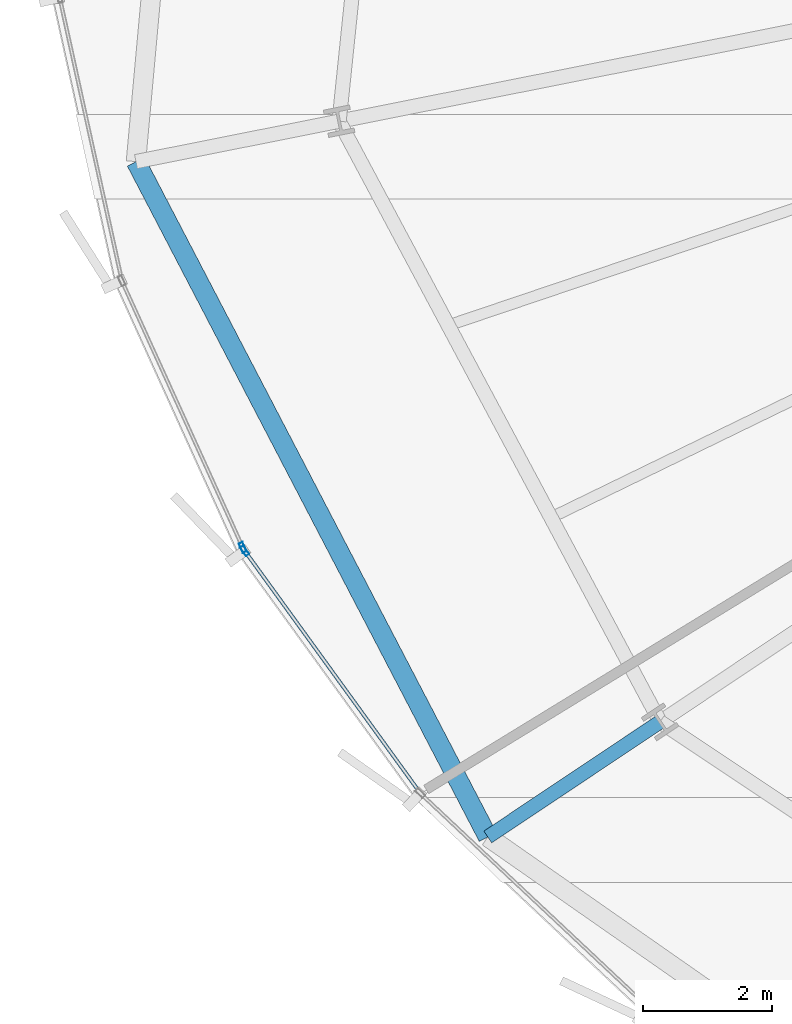
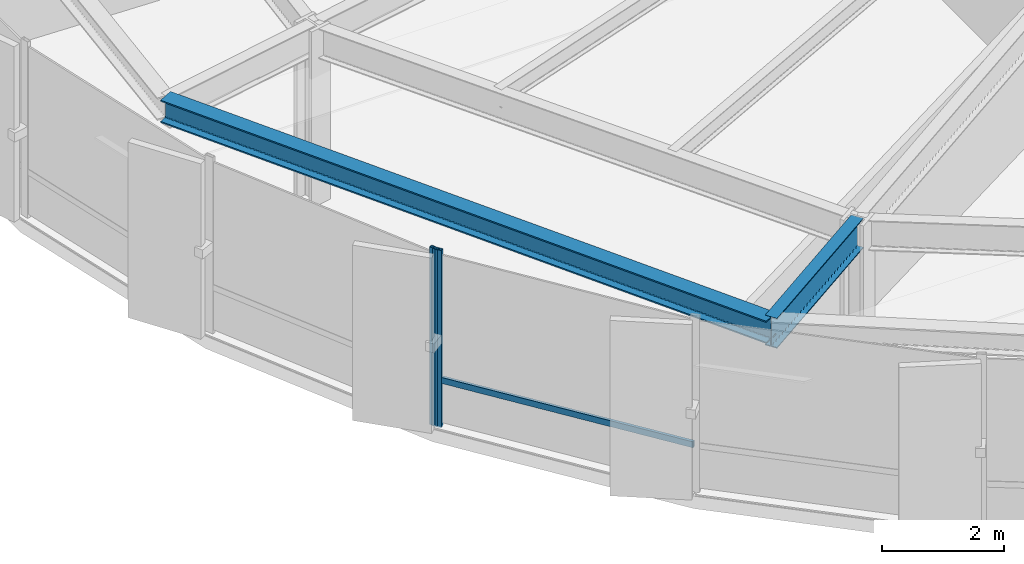
# One storey, part 3 of 37: 3 members, 2 beams, 2 elements without a shape of their own.
"""IFC4 building model written with IfcOpenShell, lengths in metres."""

from ifc_helpers import new_model, si_unit, direction, frame, origin, origin_2d, place, context, subcontext, project, spatial, hollow_rectangle, i_section, extrude, source, transform, mapped, material, layer, layer_set, material_profile, profile_set, type_object, element, aggregate, save


model = new_model("IFC4")

# Units and contexts
model_context = context("Model", 3, precision=1e-05, world=origin(), true_north=direction((0.0, 1.0)))
body_context = subcontext(model_context, "Body", "Model", "MODEL_VIEW")
ifc_project = project(units=[si_unit("LENGTHUNIT", "METRE"), si_unit("AREAUNIT", "SQUARE_METRE"), si_unit("VOLUMEUNIT", "CUBIC_METRE"), si_unit("PLANEANGLEUNIT", "RADIAN"), si_unit("MASSUNIT", "GRAM", prefix="KILO"), si_unit("THERMODYNAMICTEMPERATUREUNIT", "KELVIN")], contexts=[model_context])

# Site, building, storey
site_placement = place(None, origin())
site = spatial("IfcSite", under=ifc_project, at=site_placement, CompositionType="ELEMENT")
building_placement = place(site_placement, origin())
building = spatial("IfcBuilding", under=site, at=building_placement, Name="Kethvar Cultural Tower", CompositionType="ELEMENT")
storey_placement = place(building_placement, frame((0.0, 0.0, 56.199951171875)))
storey = spatial("IfcBuildingStorey", under=building, at=storey_placement, Name="L13", CompositionType="ELEMENT", Elevation=56.199951171875)

# Beams
ifc_material_1 = material(Name="Steel S355J2", Category="steel")
ifc_material_profile_1 = material_profile(ifc_material_1, i_section(OverallWidth=0.219970703125, OverallDepth=0.60009765625, WebThickness=0.011962890625, FlangeThickness=0.01904296875, FilletRadius=0.02392578125, at=origin_2d()), Name="Steel S355J2 — IPE600")
ifc_profile_set_1 = profile_set([ifc_material_profile_1], Name="Steel S355J2 — IPE600")
beam_type_1 = type_object("IfcBeamType", Name="BM-IPE600", PredefinedType="BEAM", material=ifc_profile_set_1)
shared_shape_1 = source(origin(), body_context, "Body", "SweptSolid", [
    extrude(i_section(OverallWidth=0.219970703125, OverallDepth=0.60009765625, WebThickness=0.011962890625, FlangeThickness=0.01904296875, FilletRadius=0.02392578125, at=origin_2d()), origin(), (0.0, 0.0, 1.0), 3.2001953125),
])
beam_1_placement = place(storey_placement, frame((24.9248046875, 13.183349609375, 3.248046875), z_axis=(-0.831486491686, -0.555544970406, 0.0), x_axis=(0.555544970406, -0.831486491686, 0.0)))
element("IfcBeam", 1, at=beam_1_placement, inside=storey, type_object=beam_type_1, Name="L13 Perimeter Cantilever Beam RC-10", PredefinedType="BEAM", context=body_context, shape_type="MappedRepresentation", body=[
    mapped(shared_shape_1, transform((0.0, 0.0, 0.0), scale=1.0)),
])
ifc_material_profile_2 = material_profile(ifc_material_1, i_section(OverallWidth=0.300048828125, OverallDepth=0.449951171875, WebThickness=0.013916015625, FlangeThickness=0.02587890625, FilletRadius=0.027099609375, at=origin_2d()), Name="Steel S355J2 — HEB450")
ifc_profile_set_2 = profile_set([ifc_material_profile_2], Name="Steel S355J2 — HEB450")
beam_type_2 = type_object("IfcBeamType", Name="BM-SP450", PredefinedType="SPANDREL", material=ifc_profile_set_2)
shared_shape_2 = source(origin(), body_context, "Body", "SweptSolid", [
    extrude(i_section(OverallWidth=0.300048828125, OverallDepth=0.449951171875, WebThickness=0.013916015625, FlangeThickness=0.02587890625, FilletRadius=0.027099609375, at=origin_2d()), origin(), (0.0, 0.0, 1.0), 11.76416015625),
])
beam_2_placement = place(storey_placement, frame((16.827392578125, 21.838134765625, 3.322998046875), z_axis=(0.462126222064, -0.886814160285, 0.0), x_axis=(0.886814160285, 0.462126222064, 0.0)))
element("IfcBeam", 2, at=beam_2_placement, inside=storey, type_object=beam_type_2, Name="L13 Perimeter Spandrel Beam SP-09", PredefinedType="SPANDREL", context=body_context, shape_type="MappedRepresentation", body=[
    mapped(shared_shape_2, transform((0.0, 0.0, 0.0), scale=1.0)),
])

# Curtain wall, member
ifc_material_2 = material(Name="Aluminium 6063-T6", Category="aluminium")
ifc_layer = layer(ifc_material_2, 0.179931640625, Name="Aluminium 6063-T6", Category="aluminium")
ifc_layer_set = layer_set([ifc_layer], Name="Aluminium 6063-T6 (180 mm)")
curtain_wall_type = type_object("IfcCurtainWallType", Name="CW-SYS-02-Z1", PredefinedType="NOTDEFINED", material=ifc_layer_set)
curtain_wall_1_placement = place(storey_placement, origin())
curtain_wall_1 = element("IfcCurtainWall", 3, at=curtain_wall_1_placement, inside=storey, type_object=curtain_wall_type, Name="L13 Curtain Wall Run 04", PredefinedType="NOTDEFINED")
ifc_material_profile_3 = material_profile(ifc_material_2, hollow_rectangle(XDim=0.06494140625, YDim=0.159912109375, WallThickness=0.0048828125, at=origin_2d()), Name="Aluminium 6063-T6 — RHS160x65x5")
ifc_profile_set_3 = profile_set([ifc_material_profile_3], Name="Aluminium 6063-T6 — RHS160x65x5")
member_type_1 = type_object("IfcMemberType", Name="CW-SYS-02-Z1-MUL", PredefinedType="MULLION", material=ifc_profile_set_3)
shared_shape_3 = source(origin(), body_context, "Body", "SweptSolid", [
    extrude(hollow_rectangle(XDim=0.06494140625, YDim=0.159912109375, WallThickness=0.0048828125, at=origin_2d()), origin(), (0.0, 0.0, 1.0), 3.550048828125),
])
member_1_placement = place(storey_placement, frame((18.477294921875, 15.877197265625, 0.0), z_axis=(0.0, 0.0, 1.0), x_axis=(0.910683660806, 0.413104429825, 0.0)))
member_1 = element("IfcMember", 4, at=member_1_placement, type_object=member_type_1, Name="CW-L13-R04 Mullion 7", PredefinedType="MULLION", context=body_context, shape_type="MappedRepresentation", body=[
    mapped(shared_shape_3, transform((0.0, 0.0, 0.0), scale=1.0)),
])
aggregate(curtain_wall_1, [member_1])

# Curtain wall, members
curtain_wall_2_placement = place(storey_placement, origin())
curtain_wall_2 = element("IfcCurtainWall", 5, at=curtain_wall_2_placement, inside=storey, type_object=curtain_wall_type, Name="L13 Curtain Wall Run 05", PredefinedType="NOTDEFINED")
member_2_placement = place(storey_placement, frame((18.50732421875, 15.825439453125, 0.0), z_axis=(0.0, 0.0, 1.0), x_axis=(0.809714022021, 0.586824677858, 0.0)))
member_2 = element("IfcMember", 6, at=member_2_placement, type_object=member_type_1, Name="CW-L13-R05 Mullion 1", PredefinedType="MULLION", context=body_context, shape_type="MappedRepresentation", body=[
    mapped(shared_shape_3, transform((0.0, 0.0, 0.0), scale=1.0)),
])
ifc_material_profile_4 = material_profile(ifc_material_2, hollow_rectangle(XDim=0.054931640625, YDim=0.1201171875, WallThickness=0.00390625, at=origin_2d()), Name="Aluminium 6063-T6 — RHS120x55x4")
ifc_profile_set_4 = profile_set([ifc_material_profile_4], Name="Aluminium 6063-T6 — RHS120x55x4")
member_type_2 = type_object("IfcMemberType", Name="CW-SYS-02-Z1-TRN", PredefinedType="USERDEFINED", material=ifc_profile_set_4)
shared_shape_4 = source(origin(), body_context, "Body", "SweptSolid", [
    extrude(hollow_rectangle(XDim=0.054931640625, YDim=0.1201171875, WallThickness=0.00390625, at=origin_2d()), origin(), (0.0, 0.0, 1.0), 4.593505859375),
])
member_3_placement = place(storey_placement, frame((18.510009765625, 15.82177734375, 0.949951171875), z_axis=(0.586815147654, -0.809720928767, 0.0), x_axis=(0.809720928767, 0.586815147654, 0.0)))
member_3 = element("IfcMember", 7, at=member_3_placement, type_object=member_type_2, Name="CW-L13-R05 Transom 1", ObjectType="TRANSOM", PredefinedType="USERDEFINED", context=body_context, shape_type="MappedRepresentation", body=[
    mapped(shared_shape_4, transform((0.0, 0.0, 0.0), scale=1.0)),
])
aggregate(curtain_wall_2, [member_2, member_3])

save(model, "model.ifc")
